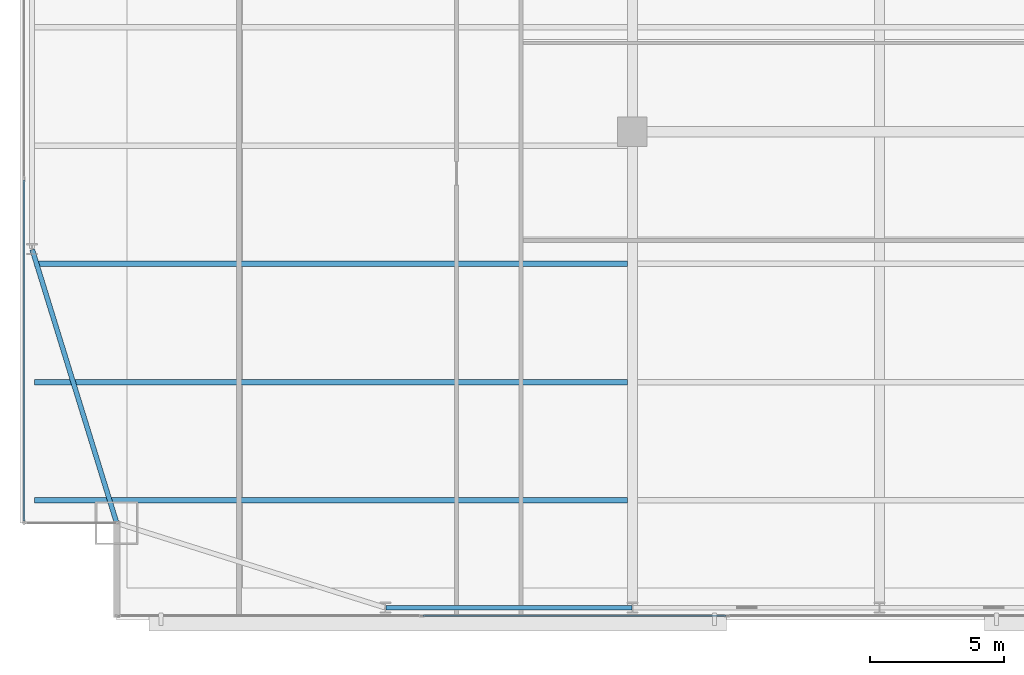
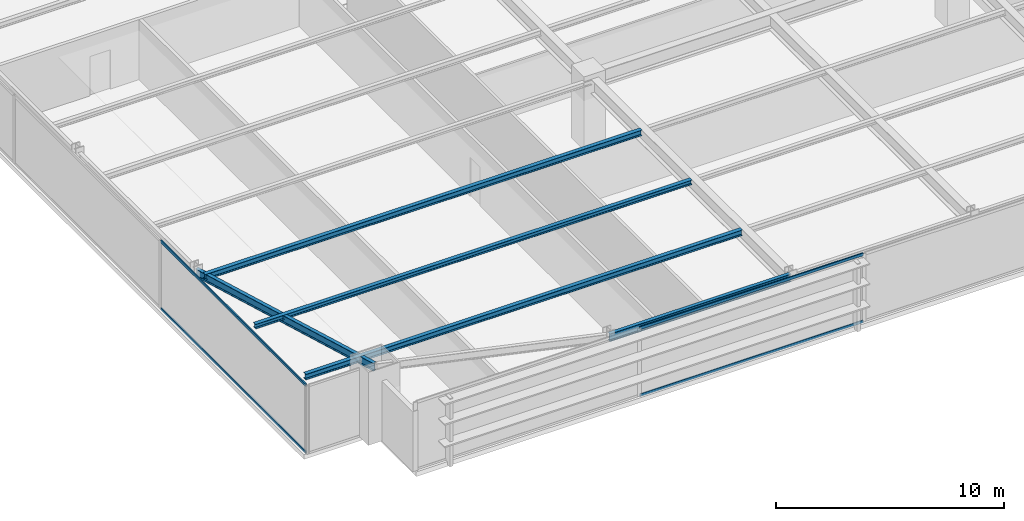
# One storey, part 5 of 32: 5 beams, 4 members, 2 elements without a shape of their own.
"""IFC4 building model written with IfcOpenShell, lengths in metres."""

from ifc_helpers import new_model, si_unit, direction, frame, origin, origin_2d, place, context, subcontext, project, spatial, hollow_rectangle, i_section, extrude, source, transform, mapped, material, layer, layer_set, material_profile, profile_set, type_object, type_shapes, element, aggregate, save


model = new_model("IFC4")

# Units and contexts
model_context = context("Model", 3, precision=1e-05, world=origin(), true_north=direction((0.0, 1.0)))
body_context = subcontext(model_context, "Body", "Model", "MODEL_VIEW")
ifc_project = project(units=[si_unit("LENGTHUNIT", "METRE"), si_unit("AREAUNIT", "SQUARE_METRE"), si_unit("VOLUMEUNIT", "CUBIC_METRE"), si_unit("PLANEANGLEUNIT", "RADIAN"), si_unit("MASSUNIT", "GRAM", prefix="KILO")], contexts=[model_context])

# Site, building, storey
site_placement = place(None, origin())
site = spatial("IfcSite", under=ifc_project, at=site_placement, CompositionType="ELEMENT")
building_placement = place(site_placement, origin())
building = spatial("IfcBuilding", under=site, at=building_placement, Name="Varnel Quay Broadcast Tower", CompositionType="ELEMENT")
storey_placement = place(building_placement, frame((0.0, 0.0, 70.5)))
storey = spatial("IfcBuildingStorey", under=building, at=storey_placement, Name="L16", CompositionType="ELEMENT", Elevation=70.5)

# Beams
ifc_material_1 = material(Name="Structural Steel CSA G40.21 350W", Category="steel")
ifc_material_profile_1 = material_profile(ifc_material_1, i_section(OverallWidth=0.180908203125, OverallDepth=0.4169921875, WebThickness=0.010986328125, FlangeThickness=0.018310546875, FilletRadius=0.011962890625, at=origin_2d()), Name="W410X85")
ifc_profile_set_1 = profile_set([ifc_material_profile_1], Name="Structural Steel CSA G40.21 350W")
beam_type_1 = type_object("IfcBeamType", Name="Beam_W410X85", PredefinedType="SPANDREL", material=ifc_profile_set_1)
shared_shape_1 = source(origin(), body_context, "Body", "SweptSolid", [
    extrude(i_section(OverallWidth=0.180908203125, OverallDepth=0.4169921875, WebThickness=0.010986328125, FlangeThickness=0.018310546875, FilletRadius=0.011962890625, at=origin_2d()), origin(), (0.0, 0.0, 1.0), 9.159912109375),
])
beam_1_placement = place(storey_placement, frame((15.6201171875, 1.64990234375, 3.44140625), z_axis=(1.0, 0.0, 0.0), x_axis=(0.0, 1.0, 0.0)))
element("IfcBeam", 1, at=beam_1_placement, inside=storey, type_object=beam_type_1, Name="L16 South Spandrel TC-S1-TC-S2", PredefinedType="SPANDREL", context=body_context, shape_type="MappedRepresentation", body=[
    mapped(shared_shape_1, transform((0.0, 0.0, 0.0), x_axis=(1.0, 0.0, 0.0), y_axis=(0.0, 1.0, 0.0), z_axis=(0.0, 0.0, 1.0), scale=1.0)),
])
shared_shape_2 = source(origin(), body_context, "Body", "SweptSolid", [
    extrude(i_section(OverallWidth=0.180908203125, OverallDepth=0.4169921875, WebThickness=0.010986328125, FlangeThickness=0.018310546875, FilletRadius=0.011962890625, at=origin_2d()), origin(), (0.0, 0.0, 1.0), 10.635498046875),
])
type_shapes(beam_type_1, [shared_shape_1, shared_shape_2])
beam_2_placement = place(storey_placement, frame((5.593994140625, 4.819091796875, 3.44140625), z_axis=(-0.295069676324, 0.955475738108, 0.0), x_axis=(-0.955475738108, -0.295069676324, 0.0)))
element("IfcBeam", 2, at=beam_2_placement, inside=storey, type_object=beam_type_1, Name="L16 West Spandrel MC-SW-TC-W1", PredefinedType="SPANDREL", context=body_context, shape_type="MappedRepresentation", body=[
    mapped(shared_shape_2, transform((0.0, 0.0, 0.0), x_axis=(1.0, 0.0, 0.0), y_axis=(0.0, 1.0, 0.0), z_axis=(0.0, 0.0, 1.0), scale=1.0)),
])
ifc_material_profile_2 = material_profile(ifc_material_1, i_section(OverallWidth=0.202880859375, OverallDepth=0.302978515625, WebThickness=0.007568359375, FlangeThickness=0.01318359375, FilletRadius=0.011962890625, at=origin_2d()), Name="W310X60")
ifc_profile_set_2 = profile_set([ifc_material_profile_2], Name="Structural Steel CSA G40.21 350W")
beam_type_2 = type_object("IfcBeamType", Name="Beam_W310X60", PredefinedType="JOIST", material=ifc_profile_set_2)
shared_shape_3 = source(origin(), body_context, "Body", "SweptSolid", [
    extrude(i_section(OverallWidth=0.202880859375, OverallDepth=0.302978515625, WebThickness=0.007568359375, FlangeThickness=0.01318359375, FilletRadius=0.011962890625, at=origin_2d()), origin(), (0.0, 0.0, 1.0), 22.0791015625),
])
type_shapes(beam_type_2, [shared_shape_3])
for number, where, z_axis, x_axis, name in (
    (3, (2.535400390625, 5.64990234375, 3.49853515625), (1.0, 0.0, 0.0), (0.0, 1.0, 0.0), "L16 West Floor Joist 1"),
    (4, (2.535400390625, 14.449951171875, 3.49853515625), (1.0, 0.0, 0.0), (0.0, 1.0, 0.0), "L16 West Floor Joist 3"),
):
    element("IfcBeam", number, at=place(storey_placement, frame(where, z_axis=z_axis, x_axis=x_axis)), inside=storey, type_object=beam_type_2, Name=name, PredefinedType="JOIST", context=body_context, shape_type="MappedRepresentation", body=[
        mapped(shared_shape_3, transform((0.0, 0.0, 0.0), x_axis=(1.0, 0.0, 0.0), y_axis=(0.0, 1.0, 0.0), z_axis=(0.0, 0.0, 1.0), scale=1.0)),
    ])
ifc_material_profile_3 = material_profile(ifc_material_1, i_section(OverallWidth=0.201904296875, OverallDepth=0.2470703125, WebThickness=0.00732421875, FlangeThickness=0.010986328125, FilletRadius=0.010986328125, at=origin_2d()), Name="W250X49")
ifc_profile_set_3 = profile_set([ifc_material_profile_3], Name="Structural Steel CSA G40.21 350W")
beam_type_3 = type_object("IfcBeamType", Name="Beam_W250X49", PredefinedType="JOIST", material=ifc_profile_set_3)
shared_shape_4 = source(origin(), body_context, "Body", "SweptSolid", [
    extrude(i_section(OverallWidth=0.201904296875, OverallDepth=0.2470703125, WebThickness=0.00732421875, FlangeThickness=0.010986328125, FilletRadius=0.010986328125, at=origin_2d()), origin(), (0.0, 0.0, 1.0), 22.0791015625),
])
type_shapes(beam_type_3, [shared_shape_4])
beam_3_placement = place(storey_placement, frame((2.535400390625, 10.050048828125, 3.526611328125), z_axis=(1.0, 0.0, 0.0), x_axis=(0.0, 1.0, 0.0)))
element("IfcBeam", 5, at=beam_3_placement, inside=storey, type_object=beam_type_3, Name="L16 West Floor Joist 2", PredefinedType="JOIST", context=body_context, shape_type="MappedRepresentation", body=[
    mapped(shared_shape_4, transform((0.0, 0.0, 0.0), x_axis=(1.0, 0.0, 0.0), y_axis=(0.0, 1.0, 0.0), z_axis=(0.0, 0.0, 1.0), scale=1.0)),
])

# Curtain wall, members
ifc_material_2 = material(Name="Anodised Bronze Aluminium 6063-T6", Category="aluminium")
ifc_layer = layer(ifc_material_2, 0.18994140625, Name="Anodised Bronze Aluminium 6063-T6")
ifc_layer_set = layer_set([ifc_layer], Name="Anodised Bronze Aluminium 6063-T6")
curtain_wall_type = type_object("IfcCurtainWallType", Name="CW_LowerTower", PredefinedType="NOTDEFINED", material=ifc_layer_set)
curtain_wall_1_placement = place(storey_placement, origin())
curtain_wall_1 = element("IfcCurtainWall", 6, at=curtain_wall_1_placement, inside=storey, type_object=curtain_wall_type, Name="L16 West Unitised Curtain Wall", PredefinedType="NOTDEFINED")
ifc_material_profile_4 = material_profile(ifc_material_2, hollow_rectangle(XDim=0.06005859375, YDim=0.14501953125, WallThickness=0.00341796875, at=origin_2d()), Name="ALU60X145X3.5")
ifc_profile_set_4 = profile_set([ifc_material_profile_4], Name="Anodised Bronze Aluminium 6063-T6")
member_type = type_object("IfcMemberType", Name="Tran_CWS-02", PredefinedType="USERDEFINED", material=ifc_profile_set_4)
shared_shape_5 = source(origin(), body_context, "Body", "SweptSolid", [
    extrude(hollow_rectangle(XDim=0.06005859375, YDim=0.14501953125, WallThickness=0.00341796875, at=origin_2d()), origin(), (0.0, 0.0, 1.0), 12.69482421875),
])
member_1_placement = place(storey_placement, frame((2.14990234375, 4.8701171875, 0.030029296875), z_axis=(0.0, 1.0, 0.0), x_axis=(-1.0, 0.0, 0.0)))
member_1 = element("IfcMember", 7, at=member_1_placement, type_object=member_type, Name="CWS-02 transom 1.1", ObjectType="TRANSOM", PredefinedType="USERDEFINED", context=body_context, shape_type="MappedRepresentation", body=[
    mapped(shared_shape_5, transform((0.0, 0.0, 0.0), x_axis=(1.0, 0.0, 0.0), y_axis=(0.0, 1.0, 0.0), z_axis=(0.0, 0.0, 1.0), scale=1.0)),
])
member_2_placement = place(storey_placement, frame((2.14990234375, 4.8701171875, 3.6201171875), z_axis=(0.0, 1.0, 0.0), x_axis=(-1.0, 0.0, 0.0)))
member_2 = element("IfcMember", 8, at=member_2_placement, type_object=member_type, Name="CWS-02 transom 1.2", ObjectType="TRANSOM", PredefinedType="USERDEFINED", context=body_context, shape_type="MappedRepresentation", body=[
    mapped(shared_shape_5, transform((0.0, 0.0, 0.0), x_axis=(1.0, 0.0, 0.0), y_axis=(0.0, 1.0, 0.0), z_axis=(0.0, 0.0, 1.0), scale=1.0)),
])
aggregate(curtain_wall_1, [member_1, member_2])

curtain_wall_2_placement = place(storey_placement, origin())
curtain_wall_2 = element("IfcCurtainWall", 9, at=curtain_wall_2_placement, inside=storey, type_object=curtain_wall_type, Name="L16 South Unitised Curtain Wall 1", PredefinedType="NOTDEFINED")
shared_shape_6 = source(origin(), body_context, "Body", "SweptSolid", [
    extrude(hollow_rectangle(XDim=0.06005859375, YDim=0.14501953125, WallThickness=0.00341796875, at=origin_2d()), origin(), (0.0, 0.0, 1.0), 11.289794921875),
])
type_shapes(member_type, [shared_shape_5, shared_shape_6])
member_3_placement = place(storey_placement, frame((16.9951171875, 1.35009765625, 0.030029296875), z_axis=(1.0, 0.0, 0.0), x_axis=(0.0, 1.0, 0.0)))
member_3 = element("IfcMember", 10, at=member_3_placement, type_object=member_type, Name="CWS-02 transom 2.1", ObjectType="TRANSOM", PredefinedType="USERDEFINED", context=body_context, shape_type="MappedRepresentation", body=[
    mapped(shared_shape_6, transform((0.0, 0.0, 0.0), x_axis=(1.0, 0.0, 0.0), y_axis=(0.0, 1.0, 0.0), z_axis=(0.0, 0.0, 1.0), scale=1.0)),
])
member_4_placement = place(storey_placement, frame((16.9951171875, 1.35009765625, 3.6201171875), z_axis=(1.0, 0.0, 0.0), x_axis=(0.0, 1.0, 0.0)))
member_4 = element("IfcMember", 11, at=member_4_placement, type_object=member_type, Name="CWS-02 transom 2.2", ObjectType="TRANSOM", PredefinedType="USERDEFINED", context=body_context, shape_type="MappedRepresentation", body=[
    mapped(shared_shape_6, transform((0.0, 0.0, 0.0), x_axis=(1.0, 0.0, 0.0), y_axis=(0.0, 1.0, 0.0), z_axis=(0.0, 0.0, 1.0), scale=1.0)),
])
aggregate(curtain_wall_2, [member_3, member_4])

save(model, "model.ifc")
